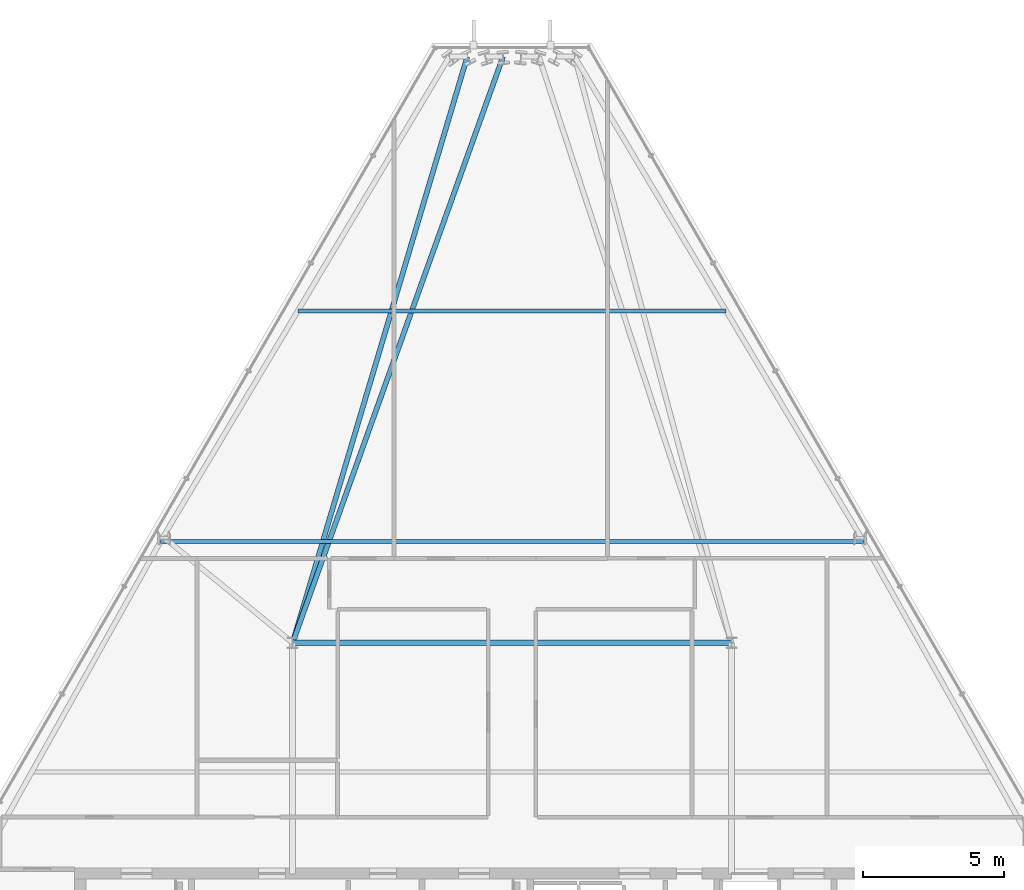
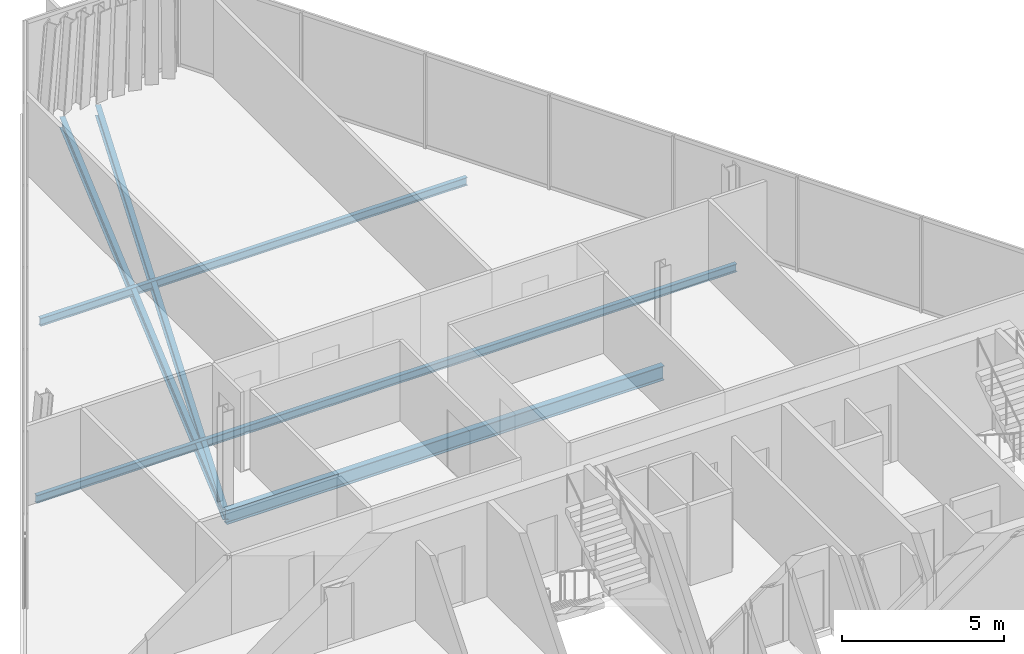
# One storey, part 17 of 34: 5 beams.
"""IFC4 building model written with IfcOpenShell, lengths in metres."""

from ifc_helpers import new_model, si_unit, direction, frame, origin, origin_2d, place, context, subcontext, project, spatial, i_section, extrude, material, material_profile, profile_set, type_object, element, save


model = new_model("IFC4")

# Units and contexts
model_context = context("Model", 3, precision=1e-05, world=origin(), true_north=direction((0.0, 1.0)))
body_context = subcontext(model_context, "Body", "Model", "MODEL_VIEW")
ifc_project = project(units=[si_unit("LENGTHUNIT", "METRE"), si_unit("AREAUNIT", "SQUARE_METRE"), si_unit("VOLUMEUNIT", "CUBIC_METRE"), si_unit("PLANEANGLEUNIT", "RADIAN"), si_unit("MASSUNIT", "GRAM", prefix="KILO")], contexts=[model_context])

# Site, building, storey
site_placement = place(None, origin())
site = spatial("IfcSite", under=ifc_project, at=site_placement, CompositionType="ELEMENT")
building_placement = place(site_placement, origin())
building = spatial("IfcBuilding", under=site, at=building_placement, Name="Ndaravel Arena Tower", CompositionType="ELEMENT")
storey_placement = place(building_placement, frame((0.0, 0.0, 267.39990234375)))
storey = spatial("IfcBuildingStorey", under=building, at=storey_placement, Name="L65", CompositionType="ELEMENT", Elevation=267.39990234375)

# Beams
ifc_material_1 = material(Name="Steel S355", Category="steel")
ifc_material_profile_1 = material_profile(ifc_material_1, i_section(OverallWidth=0.1787109375, OverallDepth=0.409423828125, WebThickness=0.0087890625, FlangeThickness=0.014404296875, FilletRadius=0.01025390625, at=origin_2d()), Name="UB 406x178x67")
ifc_profile_set_1 = profile_set([ifc_material_profile_1], Name="Steel S355")
beam_type_1 = type_object("IfcBeamType", Name="BM-GIRD-UB406", PredefinedType="BEAM", material=ifc_profile_set_1)
beam_1_placement = place(storey_placement, frame((41.681884765625, 44.038330078125, -0.424560546875), z_axis=(-0.337924362634, -0.941173270518, 0.0), x_axis=(0.941173270518, -0.337924362634, 0.0)))
element("IfcBeam", 1, at=beam_1_placement, inside=storey, type_object=beam_type_1, Name="L65 Radial Floor Girder FG-15", PredefinedType="BEAM", context=body_context, shape_type="SweptSolid", body=[
    extrude(i_section(OverallWidth=0.1787109375, OverallDepth=0.409423828125, WebThickness=0.0087890625, FlangeThickness=0.014404296875, FilletRadius=0.01025390625, at=origin_2d()), origin(), (0.0, 0.0, 1.0), 22.140869140625),
])
beam_2_placement = place(storey_placement, frame((40.4091796875, 44.038330078125, -0.424560546875), z_axis=(-0.285563258589, -0.958359862131, 0.0), x_axis=(0.958359862131, -0.285563258589, 0.0)))
element("IfcBeam", 2, at=beam_2_placement, inside=storey, type_object=beam_type_1, Name="L65 Radial Floor Girder FG-17", PredefinedType="BEAM", context=body_context, shape_type="SweptSolid", body=[
    extrude(i_section(OverallWidth=0.1787109375, OverallDepth=0.409423828125, WebThickness=0.0087890625, FlangeThickness=0.014404296875, FilletRadius=0.01025390625, at=origin_2d()), origin(), (0.0, 0.0, 1.0), 21.743896484375),
])
ifc_material_2 = material(Name="Steel S355", Category="steel")
ifc_material_profile_2 = material_profile(ifc_material_2, i_section(OverallWidth=0.210693359375, OverallDepth=0.53955078125, WebThickness=0.01171875, FlangeThickness=0.018798828125, FilletRadius=0.0126953125, at=origin_2d()), Name="UB 533x210x109")
ifc_profile_set_2 = profile_set([ifc_material_profile_2], Name="Steel S355")
beam_type_2 = type_object("IfcBeamType", Name="BM-GIRD-UB533", PredefinedType="BEAM", material=ifc_profile_set_2)
beam_3_placement = place(storey_placement, frame((34.199951171875, 23.199951171875, -0.489501953125), z_axis=(1.0, 0.0, 0.0), x_axis=(0.0, 1.0, 0.0)))
element("IfcBeam", 3, at=beam_3_placement, inside=storey, type_object=beam_type_2, Name="L65 Spine Link Girder SLG-03", PredefinedType="BEAM", context=body_context, shape_type="SweptSolid", body=[
    extrude(i_section(OverallWidth=0.210693359375, OverallDepth=0.53955078125, WebThickness=0.01171875, FlangeThickness=0.018798828125, FilletRadius=0.0126953125, at=origin_2d()), origin(), (0.0, 0.0, 1.0), 15.60009765625),
])
ifc_material_3 = material(Name="Steel S355", Category="steel")
ifc_material_profile_3 = material_profile(ifc_material_3, i_section(OverallWidth=0.14990234375, OverallDepth=0.300048828125, WebThickness=0.007080078125, FlangeThickness=0.0107421875, FilletRadius=0.014892578125, at=origin_2d()), Name="IPE 300")
ifc_profile_set_3 = profile_set([ifc_material_profile_3], Name="Steel S355")
beam_type_3 = type_object("IfcBeamType", Name="BM-JOIST-IPE300", PredefinedType="JOIST", material=ifc_profile_set_3)
beam_4_placement = place(storey_placement, frame((29.5048828125, 26.800048828125, -0.369873046875), z_axis=(1.0, 0.0, 0.0), x_axis=(0.0, 1.0, 0.0)))
element("IfcBeam", 4, at=beam_4_placement, inside=storey, type_object=beam_type_3, Name="L65 Composite Floor Joist FJ-02", PredefinedType="JOIST", context=body_context, shape_type="SweptSolid", body=[
    extrude(i_section(OverallWidth=0.14990234375, OverallDepth=0.300048828125, WebThickness=0.007080078125, FlangeThickness=0.0107421875, FilletRadius=0.014892578125, at=origin_2d()), origin(), (0.0, 0.0, 1.0), 24.990234375),
])
beam_5_placement = place(storey_placement, frame((34.385986328125, 35.0, -0.369873046875), z_axis=(1.0, 0.0, 0.0), x_axis=(0.0, 1.0, 0.0)))
element("IfcBeam", 5, at=beam_5_placement, inside=storey, type_object=beam_type_3, Name="L65 Composite Floor Joist FJ-03", PredefinedType="JOIST", context=body_context, shape_type="SweptSolid", body=[
    extrude(i_section(OverallWidth=0.14990234375, OverallDepth=0.300048828125, WebThickness=0.007080078125, FlangeThickness=0.0107421875, FilletRadius=0.014892578125, at=origin_2d()), origin(), (0.0, 0.0, 1.0), 15.22802734375),
])

save(model, "model.ifc")
